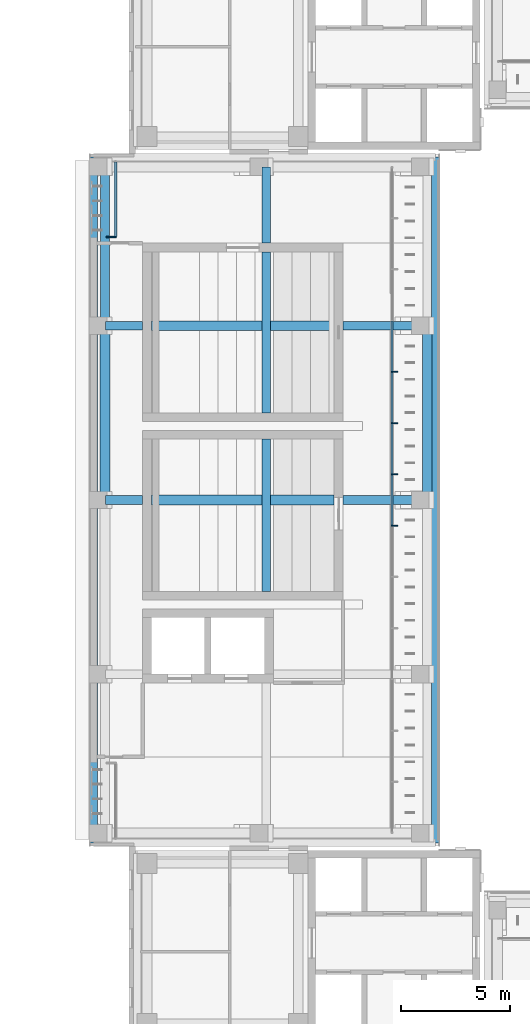
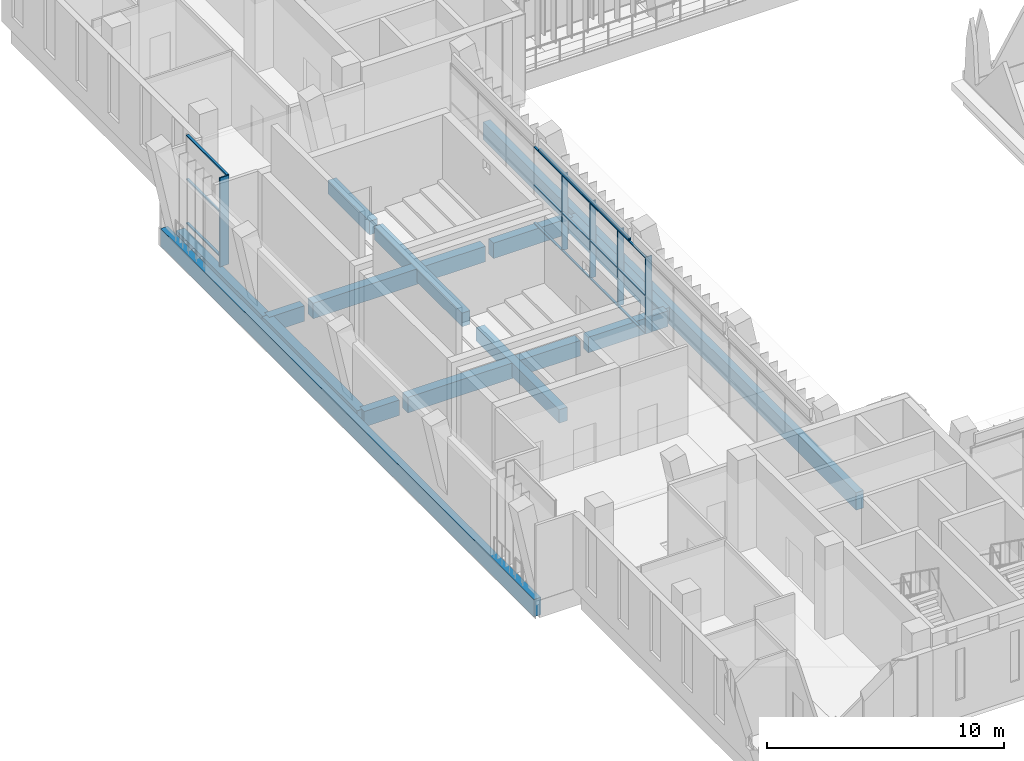
# One storey, part 62 of 141: 20 members, 15 beams, 2 elements without a shape of their own.
"""IFC4 building model written with IfcOpenShell, lengths in metres."""

from ifc_helpers import new_model, si_unit, direction, frame, origin, origin_2d, place, context, subcontext, project, spatial, rectangle, hollow_rectangle, extrude, material, material_profile, profile_set, type_object, element, aggregate, save


model = new_model("IFC4")

# Units and contexts
model_context = context("Model", 3, precision=1e-05, world=origin(), true_north=direction((0.0, 1.0)))
body_context = subcontext(model_context, "Body", "Model", "MODEL_VIEW")
ifc_project = project(units=[si_unit("LENGTHUNIT", "METRE"), si_unit("AREAUNIT", "SQUARE_METRE"), si_unit("VOLUMEUNIT", "CUBIC_METRE"), si_unit("PLANEANGLEUNIT", "RADIAN"), si_unit("MASSUNIT", "GRAM", prefix="KILO")], contexts=[model_context])

# Site, building, storey
site_placement = place(None, origin())
site = spatial("IfcSite", under=ifc_project, at=site_placement, CompositionType="ELEMENT")
building_placement = place(site_placement, origin())
building = spatial("IfcBuilding", under=site, at=building_placement, Name="Lantern Court Media Centre", CompositionType="ELEMENT")
storey_placement = place(building_placement, frame((0.0, 0.0, 9.60009765625)))
storey = spatial("IfcBuildingStorey", under=building, at=storey_placement, Name="L02", CompositionType="ELEMENT", Elevation=9.60009765625)

# Curtain wall, members
ifc_material_1 = material(Name="Curtain wall bay 2400")
curtain_wall_type_1 = type_object("IfcCurtainWallType", Name="Curtain wall bay 2400", PredefinedType="NOTDEFINED", material=ifc_material_1)
curtain_wall_1_placement = place(storey_placement, origin())
curtain_wall_1 = element("IfcCurtainWall", 1, at=curtain_wall_1_placement, inside=storey, type_object=curtain_wall_type_1, Name="Curtain wall W inner L02", PredefinedType="NOTDEFINED")
ifc_material_2 = material(Name="Anodised aluminium", Category="aluminium")
ifc_material_profile_1 = material_profile(ifc_material_2, rectangle(XDim=0.300048828125, YDim=0.050048828125, at=origin_2d()), Name="AL 50x300")
ifc_profile_set_1 = profile_set([ifc_material_profile_1], Name="Anodised aluminium")
member_type_1 = type_object("IfcMemberType", Name="Curtain wall mullion 50x300", PredefinedType="MULLION", material=ifc_profile_set_1)
member_1_placement = place(storey_placement, frame((19.969970703125, 78.822998046875, 0.0), z_axis=(0.0, 0.0, 1.0), x_axis=(-1.0, 0.0, 0.0)))
member_1 = element("IfcMember", 2, at=member_1_placement, type_object=member_type_1, Name="CW2 mullion 7", PredefinedType="MULLION", context=body_context, shape_type="SweptSolid", body=[
    extrude(rectangle(XDim=0.300048828125, YDim=0.050048828125, at=origin_2d()), origin(), (0.0, 0.0, 1.0), 3.949951171875),
])
member_2_placement = place(storey_placement, frame((19.969970703125, 81.177001953125, 0.0), z_axis=(0.0, 0.0, 1.0), x_axis=(-1.0, 0.0, 0.0)))
member_2 = element("IfcMember", 3, at=member_2_placement, type_object=member_type_1, Name="CW2 mullion 8", PredefinedType="MULLION", context=body_context, shape_type="SweptSolid", body=[
    extrude(rectangle(XDim=0.300048828125, YDim=0.050048828125, at=origin_2d()), origin(), (0.0, 0.0, 1.0), 3.949951171875),
])
member_3_placement = place(storey_placement, frame((19.969970703125, 83.53076171875, 0.0), z_axis=(0.0, 0.0, 1.0), x_axis=(-1.0, 0.0, 0.0)))
member_3 = element("IfcMember", 4, at=member_3_placement, type_object=member_type_1, Name="CW2 mullion 9", PredefinedType="MULLION", context=body_context, shape_type="SweptSolid", body=[
    extrude(rectangle(XDim=0.300048828125, YDim=0.050048828125, at=origin_2d()), origin(), (0.0, 0.0, 1.0), 3.949951171875),
])
member_4_placement = place(storey_placement, frame((19.969970703125, 85.884521484375, 0.0), z_axis=(0.0, 0.0, 1.0), x_axis=(-1.0, 0.0, 0.0)))
member_4 = element("IfcMember", 5, at=member_4_placement, type_object=member_type_1, Name="CW2 mullion 10", PredefinedType="MULLION", context=body_context, shape_type="SweptSolid", body=[
    extrude(rectangle(XDim=0.300048828125, YDim=0.050048828125, at=origin_2d()), origin(), (0.0, 0.0, 1.0), 3.949951171875),
])

# Curtain wall, member
ifc_material_3 = material(Name="Curtain wall bay 3000")
curtain_wall_type_2 = type_object("IfcCurtainWallType", Name="Curtain wall bay 3000", PredefinedType="NOTDEFINED", material=ifc_material_3)
curtain_wall_2_placement = place(storey_placement, origin())
curtain_wall_2 = element("IfcCurtainWall", 6, at=curtain_wall_2_placement, inside=storey, type_object=curtain_wall_type_2, Name="Curtain wall W outer L02", PredefinedType="NOTDEFINED")
ifc_material_profile_2 = material_profile(ifc_material_2, rectangle(XDim=0.449951171875, YDim=0.06005859375, at=origin_2d()), Name="AL 60x450")
ifc_profile_set_2 = profile_set([ifc_material_profile_2], Name="Anodised aluminium")
member_type_2 = type_object("IfcMemberType", Name="Curtain wall mullion 60x450", PredefinedType="MULLION", material=ifc_profile_set_2)
member_5_placement = place(storey_placement, frame((6.955078125, 92.080078125, 0.0), z_axis=(0.0, 0.0, 1.0), x_axis=(-1.0, 0.0, 0.0)))
member_5 = element("IfcMember", 7, at=member_5_placement, type_object=member_type_2, Name="CW1 mullion 1", PredefinedType="MULLION", context=body_context, shape_type="SweptSolid", body=[
    extrude(rectangle(XDim=0.449951171875, YDim=0.06005859375, at=origin_2d()), origin(), (0.0, 0.0, 1.0), 4.579833984375),
])

# Member
ifc_material_profile_3 = material_profile(ifc_material_2, rectangle(XDim=0.10009765625, YDim=0.050048828125, at=origin_2d()), Name="AL 50x100")
ifc_profile_set_3 = profile_set([ifc_material_profile_3], Name="Anodised aluminium")
member_type_3 = type_object("IfcMemberType", Name="Curtain wall transom 100x50", PredefinedType="USERDEFINED", material=ifc_profile_set_3)
member_6_placement = place(storey_placement, frame((19.85009765625, 78.84814453125, 0.02490234375), z_axis=(0.0, 1.0, 0.0), x_axis=(-1.0, 0.0, 0.0)))
member_6 = element("IfcMember", 8, at=member_6_placement, type_object=member_type_3, Name="CW2 transom 7.1", ObjectType="TRANSOM", PredefinedType="USERDEFINED", context=body_context, shape_type="SweptSolid", body=[
    extrude(rectangle(XDim=0.10009765625, YDim=0.050048828125, at=origin_2d()), origin(), (0.0, 0.0, 1.0), 2.3037109375),
])

member_7_placement = place(storey_placement, frame((19.85009765625, 78.84814453125, 1.974853515625), z_axis=(0.0, 1.0, 0.0), x_axis=(-1.0, 0.0, 0.0)))
member_7 = element("IfcMember", 9, at=member_7_placement, type_object=member_type_3, Name="CW2 transom 7.2", ObjectType="TRANSOM", PredefinedType="USERDEFINED", context=body_context, shape_type="SweptSolid", body=[
    extrude(rectangle(XDim=0.10009765625, YDim=0.050048828125, at=origin_2d()), origin(), (0.0, 0.0, 1.0), 2.3037109375),
])

member_8_placement = place(storey_placement, frame((19.85009765625, 78.84814453125, 3.9248046875), z_axis=(0.0, 1.0, 0.0), x_axis=(-1.0, 0.0, 0.0)))
member_8 = element("IfcMember", 10, at=member_8_placement, type_object=member_type_3, Name="CW2 transom 7.3", ObjectType="TRANSOM", PredefinedType="USERDEFINED", context=body_context, shape_type="SweptSolid", body=[
    extrude(rectangle(XDim=0.10009765625, YDim=0.050048828125, at=origin_2d()), origin(), (0.0, 0.0, 1.0), 2.3037109375),
])

member_9_placement = place(storey_placement, frame((19.85009765625, 81.201904296875, 0.02490234375), z_axis=(0.0, 1.0, 0.0), x_axis=(-1.0, 0.0, 0.0)))
member_9 = element("IfcMember", 11, at=member_9_placement, type_object=member_type_3, Name="CW2 transom 8.1", ObjectType="TRANSOM", PredefinedType="USERDEFINED", context=body_context, shape_type="SweptSolid", body=[
    extrude(rectangle(XDim=0.10009765625, YDim=0.050048828125, at=origin_2d()), origin(), (0.0, 0.0, 1.0), 2.303955078125),
])

member_10_placement = place(storey_placement, frame((19.85009765625, 81.201904296875, 1.974853515625), z_axis=(0.0, 1.0, 0.0), x_axis=(-1.0, 0.0, 0.0)))
member_10 = element("IfcMember", 12, at=member_10_placement, type_object=member_type_3, Name="CW2 transom 8.2", ObjectType="TRANSOM", PredefinedType="USERDEFINED", context=body_context, shape_type="SweptSolid", body=[
    extrude(rectangle(XDim=0.10009765625, YDim=0.050048828125, at=origin_2d()), origin(), (0.0, 0.0, 1.0), 2.303955078125),
])

member_11_placement = place(storey_placement, frame((19.85009765625, 81.201904296875, 3.9248046875), z_axis=(0.0, 1.0, 0.0), x_axis=(-1.0, 0.0, 0.0)))
member_11 = element("IfcMember", 13, at=member_11_placement, type_object=member_type_3, Name="CW2 transom 8.3", ObjectType="TRANSOM", PredefinedType="USERDEFINED", context=body_context, shape_type="SweptSolid", body=[
    extrude(rectangle(XDim=0.10009765625, YDim=0.050048828125, at=origin_2d()), origin(), (0.0, 0.0, 1.0), 2.303955078125),
])

member_12_placement = place(storey_placement, frame((19.85009765625, 83.5556640625, 0.02490234375), z_axis=(0.0, 1.0, 0.0), x_axis=(-1.0, 0.0, 0.0)))
member_12 = element("IfcMember", 14, at=member_12_placement, type_object=member_type_3, Name="CW2 transom 9.1", ObjectType="TRANSOM", PredefinedType="USERDEFINED", context=body_context, shape_type="SweptSolid", body=[
    extrude(rectangle(XDim=0.10009765625, YDim=0.050048828125, at=origin_2d()), origin(), (0.0, 0.0, 1.0), 2.303955078125),
])

member_13_placement = place(storey_placement, frame((19.85009765625, 83.5556640625, 1.974853515625), z_axis=(0.0, 1.0, 0.0), x_axis=(-1.0, 0.0, 0.0)))
member_13 = element("IfcMember", 15, at=member_13_placement, type_object=member_type_3, Name="CW2 transom 9.2", ObjectType="TRANSOM", PredefinedType="USERDEFINED", context=body_context, shape_type="SweptSolid", body=[
    extrude(rectangle(XDim=0.10009765625, YDim=0.050048828125, at=origin_2d()), origin(), (0.0, 0.0, 1.0), 2.303955078125),
])

member_14_placement = place(storey_placement, frame((19.85009765625, 83.5556640625, 3.9248046875), z_axis=(0.0, 1.0, 0.0), x_axis=(-1.0, 0.0, 0.0)))
member_14 = element("IfcMember", 16, at=member_14_placement, type_object=member_type_3, Name="CW2 transom 9.3", ObjectType="TRANSOM", PredefinedType="USERDEFINED", context=body_context, shape_type="SweptSolid", body=[
    extrude(rectangle(XDim=0.10009765625, YDim=0.050048828125, at=origin_2d()), origin(), (0.0, 0.0, 1.0), 2.303955078125),
])

member_15_placement = place(storey_placement, frame((19.85009765625, 85.90966796875, 0.02490234375), z_axis=(0.0, 1.0, 0.0), x_axis=(-1.0, 0.0, 0.0)))
member_15 = element("IfcMember", 17, at=member_15_placement, type_object=member_type_3, Name="CW2 transom 10.1", ObjectType="TRANSOM", PredefinedType="USERDEFINED", context=body_context, shape_type="SweptSolid", body=[
    extrude(rectangle(XDim=0.10009765625, YDim=0.050048828125, at=origin_2d()), origin(), (0.0, 0.0, 1.0), 2.3037109375),
])

member_16_placement = place(storey_placement, frame((19.85009765625, 85.90966796875, 1.974853515625), z_axis=(0.0, 1.0, 0.0), x_axis=(-1.0, 0.0, 0.0)))
member_16 = element("IfcMember", 18, at=member_16_placement, type_object=member_type_3, Name="CW2 transom 10.2", ObjectType="TRANSOM", PredefinedType="USERDEFINED", context=body_context, shape_type="SweptSolid", body=[
    extrude(rectangle(XDim=0.10009765625, YDim=0.050048828125, at=origin_2d()), origin(), (0.0, 0.0, 1.0), 2.3037109375),
])

member_17_placement = place(storey_placement, frame((19.85009765625, 85.90966796875, 3.9248046875), z_axis=(0.0, 1.0, 0.0), x_axis=(-1.0, 0.0, 0.0)))
member_17 = element("IfcMember", 19, at=member_17_placement, type_object=member_type_3, Name="CW2 transom 10.3", ObjectType="TRANSOM", PredefinedType="USERDEFINED", context=body_context, shape_type="SweptSolid", body=[
    extrude(rectangle(XDim=0.10009765625, YDim=0.050048828125, at=origin_2d()), origin(), (0.0, 0.0, 1.0), 2.3037109375),
])

aggregate(curtain_wall_1, [member_1, member_2, member_3, member_4, member_6, member_7, member_8, member_9, member_10, member_11, member_12, member_13, member_14, member_15, member_16, member_17])

ifc_material_profile_4 = material_profile(ifc_material_2, rectangle(XDim=0.1201171875, YDim=0.06005859375, at=origin_2d()), Name="AL 60x120")
ifc_profile_set_4 = profile_set([ifc_material_profile_4], Name="Anodised aluminium")
member_type_4 = type_object("IfcMemberType", Name="Curtain wall transom 60x120", PredefinedType="USERDEFINED", material=ifc_profile_set_4)
member_18_placement = place(storey_placement, frame((7.14990234375, 92.110107421875, 0.02978515625), z_axis=(0.0, 1.0, 0.0), x_axis=(-1.0, 0.0, 0.0)))
member_18 = element("IfcMember", 20, at=member_18_placement, type_object=member_type_4, Name="CW1 transom 1.1", ObjectType="TRANSOM", PredefinedType="USERDEFINED", context=body_context, shape_type="SweptSolid", body=[
    extrude(rectangle(XDim=0.1201171875, YDim=0.06005859375, at=origin_2d()), origin(), (0.0, 0.0, 1.0), 3.409912109375),
])

member_19_placement = place(storey_placement, frame((7.14990234375, 92.110107421875, 2.289794921875), z_axis=(0.0, 1.0, 0.0), x_axis=(-1.0, 0.0, 0.0)))
member_19 = element("IfcMember", 21, at=member_19_placement, type_object=member_type_4, Name="CW1 transom 1.2", ObjectType="TRANSOM", PredefinedType="USERDEFINED", context=body_context, shape_type="SweptSolid", body=[
    extrude(rectangle(XDim=0.1201171875, YDim=0.06005859375, at=origin_2d()), origin(), (0.0, 0.0, 1.0), 3.409912109375),
])

member_20_placement = place(storey_placement, frame((7.14990234375, 92.110107421875, 4.5498046875), z_axis=(0.0, 1.0, 0.0), x_axis=(-1.0, 0.0, 0.0)))
member_20 = element("IfcMember", 22, at=member_20_placement, type_object=member_type_4, Name="CW1 transom 1.3", ObjectType="TRANSOM", PredefinedType="USERDEFINED", context=body_context, shape_type="SweptSolid", body=[
    extrude(rectangle(XDim=0.1201171875, YDim=0.06005859375, at=origin_2d()), origin(), (0.0, 0.0, 1.0), 3.409912109375),
])

aggregate(curtain_wall_2, [member_5, member_18, member_19, member_20])

# Beams
ifc_material_4 = material(Name="Steel S355J2 (EN 10025-2)", Category="steel")
ifc_material_profile_5 = material_profile(ifc_material_4, hollow_rectangle(XDim=0.10009765625, YDim=0.14990234375, WallThickness=0.00634765625, InnerFilletRadius=0.00634765625, OuterFilletRadius=0.009521484375, at=origin_2d()), Name="Facade head lintel RHS 150x100x6.3")
ifc_profile_set_5 = profile_set([ifc_material_profile_5], Name="Steel S355J2 (EN 10025-2)")
beam_type_1 = type_object("IfcBeamType", Name="Facade head lintel RHS 150x100x6.3", PredefinedType="BEAM", material=ifc_profile_set_5)
beam_1_placement = place(storey_placement, frame((19.85009765625, 80.199951171875, 4.02490234375), z_axis=(0.0, 1.0, 0.0), x_axis=(-1.0, 0.0, 0.0)))
element("IfcBeam", 23, at=beam_1_placement, inside=storey, type_object=beam_type_1, Name="Facade head lintel W L02", PredefinedType="BEAM", context=body_context, shape_type="SweptSolid", body=[
    extrude(hollow_rectangle(XDim=0.10009765625, YDim=0.14990234375, WallThickness=0.00634765625, InnerFilletRadius=0.00634765625, OuterFilletRadius=0.009521484375, at=origin_2d()), origin(), (0.0, 0.0, 1.0), 7.60009765625),
])
ifc_material_5 = material(Name="Concrete C35", Category="concrete")
ifc_material_profile_6 = material_profile(ifc_material_5, rectangle(XDim=0.35009765625, YDim=0.89990234375, at=origin_2d()), Name="RC 350x900")
ifc_profile_set_6 = profile_set([ifc_material_profile_6], Name="Concrete C35")
beam_type_2 = type_object("IfcBeamType", Name="RC BEAM 350x900", PredefinedType="BEAM", material=ifc_profile_set_6)
for number, where, z_axis, x_axis, name in (
    (24, (6.14990234375, 64.25, -0.4501953125), (0.0, 1.0, 0.0), (-1.0, 0.0, 0.0), "EB-W-L02-A"),
    (25, (21.85009765625, 64.25, -0.4501953125), (0.0, 1.0, 0.0), (-1.0, 0.0, 0.0), "EB-W-L02-B"),
):
    element("IfcBeam", number, at=place(storey_placement, frame(where, z_axis=z_axis, x_axis=x_axis)), inside=storey, type_object=beam_type_2, Name=name, PredefinedType="BEAM", context=body_context, shape_type="SweptSolid", body=[
        extrude(rectangle(XDim=0.35009765625, YDim=0.89990234375, at=origin_2d()), origin(), (0.0, 0.0, 1.0), 31.5),
    ])
ifc_material_profile_7 = material_profile(ifc_material_5, rectangle(XDim=0.39990234375, YDim=0.699951171875, at=origin_2d()), Name="RC 400x700")
ifc_profile_set_7 = profile_set([ifc_material_profile_7], Name="Concrete C35")
beam_type_3 = type_object("IfcBeamType", Name="RC BEAM 400x700", PredefinedType="BEAM", material=ifc_profile_set_7)
beam_2_placement = place(storey_placement, frame((6.6728515625, 88.0, -0.35009765625), z_axis=(0.0, 1.0, 0.0), x_axis=(-1.0, 0.0, 0.0)))
element("IfcBeam", 26, at=beam_2_placement, inside=storey, type_object=beam_type_3, Name="LB-W-L02-0-3", PredefinedType="BEAM", context=body_context, shape_type="SweptSolid", body=[
    extrude(rectangle(XDim=0.39990234375, YDim=0.699951171875, at=origin_2d()), origin(), (0.0, 0.0, 1.0), 7.300048828125),
])
beam_3_placement = place(storey_placement, frame((14.072998046875, 75.800048828125, -0.35009765625), z_axis=(0.0, 1.0, 0.0), x_axis=(-1.0, 0.0, 0.0)))
element("IfcBeam", 27, at=beam_3_placement, inside=storey, type_object=beam_type_3, Name="LB-W-L02-1-1", PredefinedType="BEAM", context=body_context, shape_type="SweptSolid", body=[
    extrude(rectangle(XDim=0.39990234375, YDim=0.699951171875, at=origin_2d()), origin(), (0.0, 0.0, 1.0), 7.0),
])
beam_4_placement = place(storey_placement, frame((14.072998046875, 84.0, -0.35009765625), z_axis=(0.0, 1.0, 0.0), x_axis=(-1.0, 0.0, 0.0)))
element("IfcBeam", 28, at=beam_4_placement, inside=storey, type_object=beam_type_3, Name="LB-W-L02-1-11", PredefinedType="BEAM", context=body_context, shape_type="SweptSolid", body=[
    extrude(rectangle(XDim=0.39990234375, YDim=0.699951171875, at=origin_2d()), origin(), (0.0, 0.0, 1.0), 7.39990234375),
])
beam_5_placement = place(storey_placement, frame((14.072998046875, 91.800048828125, -0.35009765625), z_axis=(0.0, 1.0, 0.0), x_axis=(-1.0, 0.0, 0.0)))
element("IfcBeam", 29, at=beam_5_placement, inside=storey, type_object=beam_type_3, Name="LB-W-L02-1-12", PredefinedType="BEAM", context=body_context, shape_type="SweptSolid", body=[
    extrude(rectangle(XDim=0.39990234375, YDim=0.699951171875, at=origin_2d()), origin(), (0.0, 0.0, 1.0), 3.5),
])
ifc_material_profile_8 = material_profile(ifc_material_5, rectangle(XDim=0.39990234375, YDim=0.800048828125, at=origin_2d()), Name="RC 400x800")
ifc_profile_set_8 = profile_set([ifc_material_profile_8], Name="Concrete C35")
beam_type_4 = type_object("IfcBeamType", Name="RC BEAM 400x800", PredefinedType="BEAM", material=ifc_profile_set_8)
beam_6_placement = place(storey_placement, frame((6.683349609375, 80.0, -0.400146484375), z_axis=(1.0, 0.0, 0.0), x_axis=(0.0, 1.0, 0.0)))
element("IfcBeam", 30, at=beam_6_placement, inside=storey, type_object=beam_type_4, Name="TB-W-L02-2-1", PredefinedType="BEAM", context=body_context, shape_type="SweptSolid", body=[
    extrude(rectangle(XDim=0.39990234375, YDim=0.800048828125, at=origin_2d()), origin(), (0.0, 0.0, 1.0), 1.716552734375),
])
beam_7_placement = place(storey_placement, frame((17.60009765625, 80.0, -0.400146484375), z_axis=(1.0, 0.0, 0.0), x_axis=(0.0, 1.0, 0.0)))
element("IfcBeam", 31, at=beam_7_placement, inside=storey, type_object=beam_type_4, Name="TB-W-L02-2-12", PredefinedType="BEAM", context=body_context, shape_type="SweptSolid", body=[
    extrude(rectangle(XDim=0.39990234375, YDim=0.800048828125, at=origin_2d()), origin(), (0.0, 0.0, 1.0), 3.88330078125),
])
beam_8_placement = place(storey_placement, frame((6.683349609375, 88.0, -0.400146484375), z_axis=(1.0, 0.0, 0.0), x_axis=(0.0, 1.0, 0.0)))
element("IfcBeam", 32, at=beam_8_placement, inside=storey, type_object=beam_type_4, Name="TB-W-L02-3-1", PredefinedType="BEAM", context=body_context, shape_type="SweptSolid", body=[
    extrude(rectangle(XDim=0.39990234375, YDim=0.800048828125, at=origin_2d()), origin(), (0.0, 0.0, 1.0), 1.716552734375),
])
beam_9_placement = place(storey_placement, frame((17.60009765625, 88.0, -0.400146484375), z_axis=(1.0, 0.0, 0.0), x_axis=(0.0, 1.0, 0.0)))
element("IfcBeam", 33, at=beam_9_placement, inside=storey, type_object=beam_type_4, Name="TB-W-L02-3-12", PredefinedType="BEAM", context=body_context, shape_type="SweptSolid", body=[
    extrude(rectangle(XDim=0.39990234375, YDim=0.800048828125, at=origin_2d()), origin(), (0.0, 0.0, 1.0), 3.88330078125),
])
ifc_material_profile_9 = material_profile(ifc_material_5, rectangle(XDim=0.449951171875, YDim=0.699951171875, at=origin_2d()), Name="RC 450x700")
ifc_profile_set_9 = profile_set([ifc_material_profile_9], Name="Concrete C35")
beam_type_5 = type_object("IfcBeamType", Name="RC BEAM 450x700", PredefinedType="BEAM", material=ifc_profile_set_9)
for number, where, z_axis, x_axis, name in (
    (34, (6.6728515625, 80.0, -0.35009765625), (0.0, 1.0, 0.0), (-1.0, 0.0, 0.0), "LB-W-L02-0-2"),
    (35, (21.472900390625, 80.0, -0.35009765625), (0.0, 1.0, 0.0), (-1.0, 0.0, 0.0), "LB-W-L02-2-2"),
):
    element("IfcBeam", number, at=place(storey_placement, frame(where, z_axis=z_axis, x_axis=x_axis)), inside=storey, type_object=beam_type_5, Name=name, PredefinedType="BEAM", context=body_context, shape_type="SweptSolid", body=[
        extrude(rectangle(XDim=0.449951171875, YDim=0.699951171875, at=origin_2d()), origin(), (0.0, 0.0, 1.0), 8.0),
    ])
ifc_material_profile_10 = material_profile(ifc_material_5, rectangle(XDim=0.449951171875, YDim=0.800048828125, at=origin_2d()), Name="RC 450x800")
ifc_profile_set_10 = profile_set([ifc_material_profile_10], Name="Concrete C35")
beam_type_6 = type_object("IfcBeamType", Name="RC BEAM 450x800", PredefinedType="BEAM", material=ifc_profile_set_10)
for number, where, z_axis, x_axis, name in (
    (36, (8.800048828125, 80.0, -0.400146484375), (1.0, 0.0, 0.0), (0.0, 1.0, 0.0), "TB-W-L02-2-11"),
    (37, (8.800048828125, 88.0, -0.400146484375), (1.0, 0.0, 0.0), (0.0, 1.0, 0.0), "TB-W-L02-3-11"),
):
    element("IfcBeam", number, at=place(storey_placement, frame(where, z_axis=z_axis, x_axis=x_axis)), inside=storey, type_object=beam_type_6, Name=name, PredefinedType="BEAM", context=body_context, shape_type="SweptSolid", body=[
        extrude(rectangle(XDim=0.449951171875, YDim=0.800048828125, at=origin_2d()), origin(), (0.0, 0.0, 1.0), 8.39990234375),
    ])

save(model, "model.ifc")
